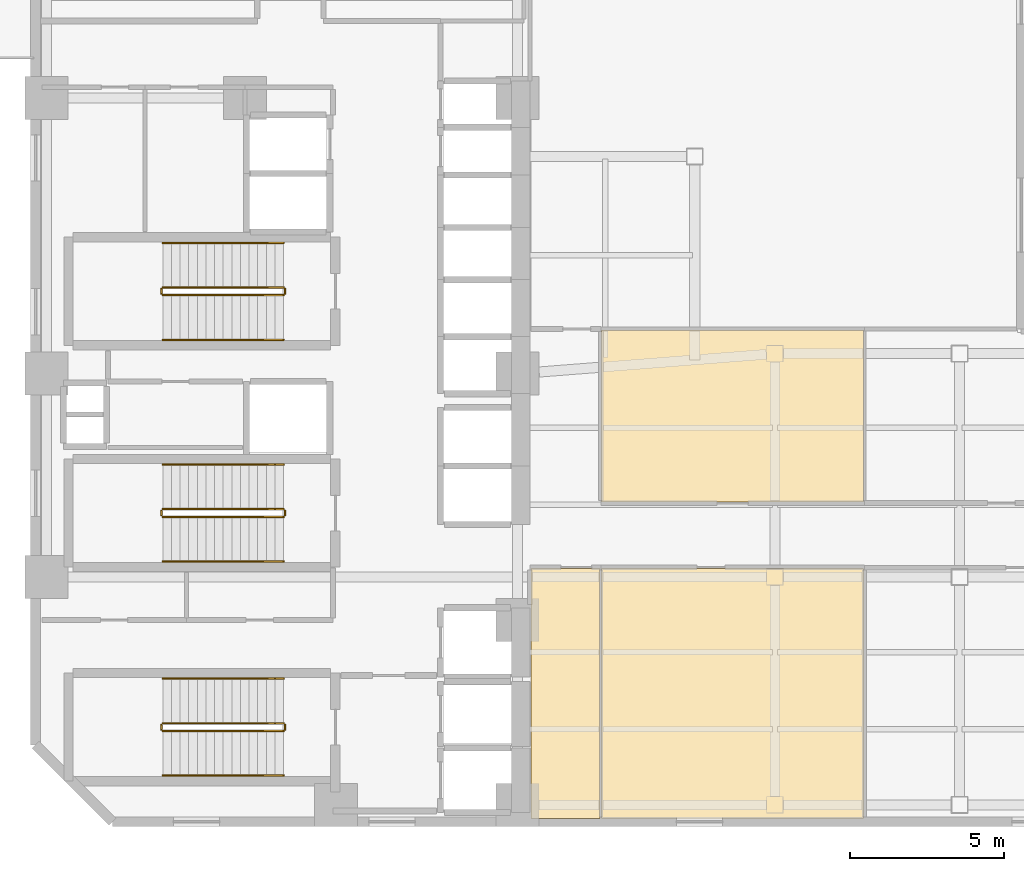
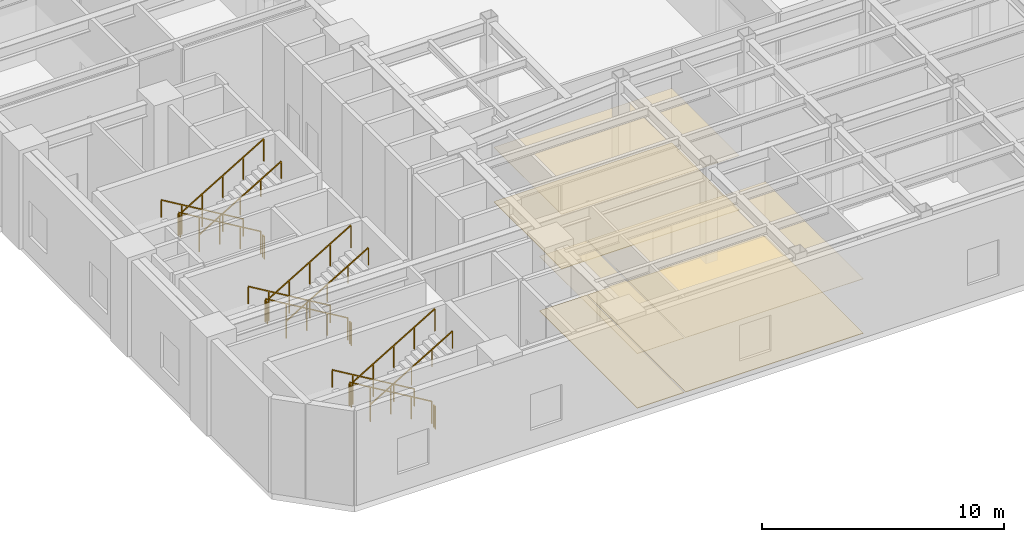
# One storey, part 8 of 10: 18 railings, 6 coverings.
"""IFC4 building model written with IfcOpenShell, lengths in metres."""

from ifc_helpers import new_model, si_unit, direction, frame, origin, origin_2d, place, context, subcontext, project, spatial, polyline, rectangle, outline, extrude, material, layer, layer_set, type_object, element, save


model = new_model("IFC4")

# Units and contexts
model_context = context("Model", 3, precision=1e-05, world=origin(), true_north=direction((0.0, 1.0)))
body_context = subcontext(model_context, "Body", "Model", "MODEL_VIEW")
ifc_project = project(units=[si_unit("LENGTHUNIT", "METRE"), si_unit("AREAUNIT", "SQUARE_METRE"), si_unit("VOLUMEUNIT", "CUBIC_METRE"), si_unit("PLANEANGLEUNIT", "RADIAN"), si_unit("MASSUNIT", "GRAM", prefix="KILO")], contexts=[model_context])

# Site, building, storey
site_placement = place(None, origin())
site = spatial("IfcSite", under=ifc_project, at=site_placement, CompositionType="ELEMENT")
building_placement = place(site_placement, origin())
building = spatial("IfcBuilding", under=site, at=building_placement, Name="Mawjaban Terraces University", CompositionType="ELEMENT")
storey_placement = place(building_placement, frame((0.0, 0.0, 26.0)))
storey = spatial("IfcBuildingStorey", under=building, at=storey_placement, Name="L05", CompositionType="ELEMENT", Elevation=26.0)

# Coverings
ifc_material_1 = material(Name="Acoustic mineral fibre ceiling tile", Category="masonry")
ifc_layer_1 = layer(ifc_material_1, 0.02001953125)
ifc_layer_set_1 = layer_set([ifc_layer_1], Name="Acoustic mineral fibre ceiling tile")
covering_type_1 = type_object("IfcCoveringType", Name="AcousticMineralCeiling_20", PredefinedType="CEILING", material=ifc_layer_set_1)
covering_1_placement = place(storey_placement, frame((0.0, 0.0, 2.75)))
element("IfcCovering", 1, at=covering_1_placement, inside=storey, type_object=covering_type_1, Name="L05 Classroom 1 Acoustic Ceiling", PredefinedType="CEILING", context=body_context, shape_type="SweptSolid", body=[
    extrude(outline(polyline([(38.080078125, 0.114990234375), (40.320068359375, 0.114990234375), (40.320068359375, 8.219970703125), (38.080078125, 8.219970703125), (38.080078125, 0.114990234375)])), origin(), (0.0, 0.0, 1.0), 0.02001953125),
])
covering_2_placement = place(storey_placement, frame((0.0, 0.0, 2.75)))
element("IfcCovering", 2, at=covering_2_placement, inside=storey, type_object=covering_type_1, Name="L05 Seminar Room 2 Acoustic Ceiling", PredefinedType="CEILING", context=body_context, shape_type="SweptSolid", body=[
    extrude(outline(polyline([(40.3798828125, 0.114990234375), (48.8759765625, 0.114990234375), (48.8759765625, 8.219970703125), (40.3798828125, 8.219970703125), (40.3798828125, 0.114990234375)])), origin(), (0.0, 0.0, 1.0), 0.02001953125),
])
covering_3_placement = place(storey_placement, frame((0.0, 0.0, 2.75)))
element("IfcCovering", 3, at=covering_3_placement, inside=storey, type_object=covering_type_1, Name="L05 Classroom 3 Acoustic Ceiling", PredefinedType="CEILING", context=body_context, shape_type="SweptSolid", body=[
    extrude(outline(polyline([(48.8759765625, 10.3798828125), (48.8759765625, 15.969970703125), (40.3798828125, 15.969970703125), (40.3798828125, 10.3798828125), (48.8759765625, 10.3798828125)])), origin(), (0.0, 0.0, 1.0), 0.02001953125),
])

# Railings
ifc_material_2 = material(Name="Brushed stainless steel 316", Category="steel")
railing_type_1 = type_object("IfcRailingType", Name="StairWallHandrail_900", PredefinedType="HANDRAIL", material=ifc_material_2)
railing_1_placement = place(storey_placement, frame((30.050048828125, 4.64990234375, 0.166748046875)))
element("IfcRailing", 4, at=railing_1_placement, inside=storey, type_object=railing_type_1, Name="L05 ST-1 stair handrail 1", PredefinedType="HANDRAIL", context=body_context, shape_type="SweptSolid", body=[
    extrude(rectangle(XDim=0.048095703125, YDim=0.048095703125, at=origin_2d()), frame((0.0, 0.0, 0.8759765625), z_axis=(-0.859310244771, 0.0, 0.511454693235), x_axis=(0.0, -1.0, 0.0)), (0.0, 0.0, 1.0), 4.56201171875),
    extrude(rectangle(XDim=0.0419921875, YDim=0.0419921875, at=origin_2d()), origin(), (0.0, 0.0, 1.0), 0.851806640625),
    extrude(rectangle(XDim=0.0419921875, YDim=0.0419921875, at=origin_2d()), frame((-0.97998046875, 0.0, 0.583251953125)), (0.0, 0.0, 1.0), 0.851806640625),
    extrude(rectangle(XDim=0.0419921875, YDim=0.0419921875, at=origin_2d()), frame((-1.9599609375, 0.0, 1.16650390625)), (0.0, 0.0, 1.0), 0.851806640625),
    extrude(rectangle(XDim=0.0419921875, YDim=0.0419921875, at=origin_2d()), frame((-2.940185546875, 0.0, 1.75)), (0.0, 0.0, 1.0), 0.851806640625),
    extrude(rectangle(XDim=0.0419921875, YDim=0.0419921875, at=origin_2d()), frame((-3.920166015625, 0.0, 2.333251953125)), (0.0, 0.0, 1.0), 0.851806640625),
])
railing_2_placement = place(storey_placement, frame((26.1298828125, 1.5, 2.666748046875)))
element("IfcRailing", 5, at=railing_2_placement, inside=storey, type_object=railing_type_1, Name="L05 ST-1 stair handrail 2", PredefinedType="HANDRAIL", context=body_context, shape_type="SweptSolid", body=[
    extrude(rectangle(XDim=0.048095703125, YDim=0.048095703125, at=origin_2d()), frame((0.0, 0.0, 0.8759765625), z_axis=(0.859310244771, 0.0, 0.511454693235), x_axis=(0.0, 1.0, 0.0)), (0.0, 0.0, 1.0), 4.56201171875),
    extrude(rectangle(XDim=0.0419921875, YDim=0.0419921875, at=origin_2d()), origin(), (0.0, 0.0, 1.0), 0.851806640625),
    extrude(rectangle(XDim=0.0419921875, YDim=0.0419921875, at=origin_2d()), frame((0.97998046875, 0.0, 0.583251953125)), (0.0, 0.0, 1.0), 0.851806640625),
    extrude(rectangle(XDim=0.0419921875, YDim=0.0419921875, at=origin_2d()), frame((1.9599609375, 0.0, 1.16650390625)), (0.0, 0.0, 1.0), 0.851806640625),
    extrude(rectangle(XDim=0.0419921875, YDim=0.0419921875, at=origin_2d()), frame((2.940185546875, 0.0, 1.75)), (0.0, 0.0, 1.0), 0.851806640625),
    extrude(rectangle(XDim=0.0419921875, YDim=0.0419921875, at=origin_2d()), frame((3.920166015625, 0.0, 2.333251953125)), (0.0, 0.0, 1.0), 0.851806640625),
])
railing_3_placement = place(storey_placement, frame((30.050048828125, 18.800048828125, 0.166748046875)))
element("IfcRailing", 6, at=railing_3_placement, inside=storey, type_object=railing_type_1, Name="L05 ST-2 stair handrail 1", PredefinedType="HANDRAIL", context=body_context, shape_type="SweptSolid", body=[
    extrude(rectangle(XDim=0.048095703125, YDim=0.048095703125, at=origin_2d()), frame((0.0, 0.0, 0.8759765625), z_axis=(-0.859310244771, 0.0, 0.511454693235), x_axis=(0.0, -1.0, 0.0)), (0.0, 0.0, 1.0), 4.56201171875),
    extrude(rectangle(XDim=0.0419921875, YDim=0.0419921875, at=origin_2d()), origin(), (0.0, 0.0, 1.0), 0.851806640625),
    extrude(rectangle(XDim=0.0419921875, YDim=0.0419921875, at=origin_2d()), frame((-0.97998046875, 0.0, 0.583251953125)), (0.0, 0.0, 1.0), 0.851806640625),
    extrude(rectangle(XDim=0.0419921875, YDim=0.0419921875, at=origin_2d()), frame((-1.9599609375, 0.0, 1.16650390625)), (0.0, 0.0, 1.0), 0.851806640625),
    extrude(rectangle(XDim=0.0419921875, YDim=0.0419921875, at=origin_2d()), frame((-2.940185546875, 0.0, 1.75)), (0.0, 0.0, 1.0), 0.851806640625),
    extrude(rectangle(XDim=0.0419921875, YDim=0.0419921875, at=origin_2d()), frame((-3.920166015625, 0.0, 2.333251953125)), (0.0, 0.0, 1.0), 0.851806640625),
])
railing_4_placement = place(storey_placement, frame((26.1298828125, 15.64990234375, 2.666748046875)))
element("IfcRailing", 7, at=railing_4_placement, inside=storey, type_object=railing_type_1, Name="L05 ST-2 stair handrail 2", PredefinedType="HANDRAIL", context=body_context, shape_type="SweptSolid", body=[
    extrude(rectangle(XDim=0.048095703125, YDim=0.048095703125, at=origin_2d()), frame((0.0, 0.0, 0.8759765625), z_axis=(0.859310244771, 0.0, 0.511454693235), x_axis=(0.0, 1.0, 0.0)), (0.0, 0.0, 1.0), 4.56201171875),
    extrude(rectangle(XDim=0.0419921875, YDim=0.0419921875, at=origin_2d()), origin(), (0.0, 0.0, 1.0), 0.851806640625),
    extrude(rectangle(XDim=0.0419921875, YDim=0.0419921875, at=origin_2d()), frame((0.97998046875, 0.0, 0.583251953125)), (0.0, 0.0, 1.0), 0.851806640625),
    extrude(rectangle(XDim=0.0419921875, YDim=0.0419921875, at=origin_2d()), frame((1.9599609375, 0.0, 1.16650390625)), (0.0, 0.0, 1.0), 0.851806640625),
    extrude(rectangle(XDim=0.0419921875, YDim=0.0419921875, at=origin_2d()), frame((2.940185546875, 0.0, 1.75)), (0.0, 0.0, 1.0), 0.851806640625),
    extrude(rectangle(XDim=0.0419921875, YDim=0.0419921875, at=origin_2d()), frame((3.920166015625, 0.0, 2.333251953125)), (0.0, 0.0, 1.0), 0.851806640625),
])
railing_5_placement = place(storey_placement, frame((30.050048828125, 11.60009765625, 0.166748046875)))
element("IfcRailing", 8, at=railing_5_placement, inside=storey, type_object=railing_type_1, Name="L05 ST-3 stair handrail 1", PredefinedType="HANDRAIL", context=body_context, shape_type="SweptSolid", body=[
    extrude(rectangle(XDim=0.048095703125, YDim=0.048095703125, at=origin_2d()), frame((0.0, 0.0, 0.8759765625), z_axis=(-0.859310244771, 0.0, 0.511454693235), x_axis=(0.0, -1.0, 0.0)), (0.0, 0.0, 1.0), 4.56201171875),
    extrude(rectangle(XDim=0.0419921875, YDim=0.0419921875, at=origin_2d()), origin(), (0.0, 0.0, 1.0), 0.851806640625),
    extrude(rectangle(XDim=0.0419921875, YDim=0.0419921875, at=origin_2d()), frame((-0.97998046875, 0.0, 0.583251953125)), (0.0, 0.0, 1.0), 0.851806640625),
    extrude(rectangle(XDim=0.0419921875, YDim=0.0419921875, at=origin_2d()), frame((-1.9599609375, 0.0, 1.16650390625)), (0.0, 0.0, 1.0), 0.851806640625),
    extrude(rectangle(XDim=0.0419921875, YDim=0.0419921875, at=origin_2d()), frame((-2.940185546875, 0.0, 1.75)), (0.0, 0.0, 1.0), 0.851806640625),
    extrude(rectangle(XDim=0.0419921875, YDim=0.0419921875, at=origin_2d()), frame((-3.920166015625, 0.0, 2.333251953125)), (0.0, 0.0, 1.0), 0.851806640625),
])
railing_6_placement = place(storey_placement, frame((26.1298828125, 8.449951171875, 2.666748046875)))
element("IfcRailing", 9, at=railing_6_placement, inside=storey, type_object=railing_type_1, Name="L05 ST-3 stair handrail 2", PredefinedType="HANDRAIL", context=body_context, shape_type="SweptSolid", body=[
    extrude(rectangle(XDim=0.048095703125, YDim=0.048095703125, at=origin_2d()), frame((0.0, 0.0, 0.8759765625), z_axis=(0.859310244771, 0.0, 0.511454693235), x_axis=(0.0, 1.0, 0.0)), (0.0, 0.0, 1.0), 4.56201171875),
    extrude(rectangle(XDim=0.0419921875, YDim=0.0419921875, at=origin_2d()), origin(), (0.0, 0.0, 1.0), 0.851806640625),
    extrude(rectangle(XDim=0.0419921875, YDim=0.0419921875, at=origin_2d()), frame((0.97998046875, 0.0, 0.583251953125)), (0.0, 0.0, 1.0), 0.851806640625),
    extrude(rectangle(XDim=0.0419921875, YDim=0.0419921875, at=origin_2d()), frame((1.9599609375, 0.0, 1.16650390625)), (0.0, 0.0, 1.0), 0.851806640625),
    extrude(rectangle(XDim=0.0419921875, YDim=0.0419921875, at=origin_2d()), frame((2.940185546875, 0.0, 1.75)), (0.0, 0.0, 1.0), 0.851806640625),
    extrude(rectangle(XDim=0.0419921875, YDim=0.0419921875, at=origin_2d()), frame((3.920166015625, 0.0, 2.333251953125)), (0.0, 0.0, 1.0), 0.851806640625),
])
ifc_material_3 = material(Name="Galvanised painted steel S355", Category="steel")
railing_type_2 = type_object("IfcRailingType", Name="StairWellGuard_1150", PredefinedType="BALUSTRADE", material=ifc_material_3)
railing_7_placement = place(storey_placement, frame((30.050048828125, 3.199951171875, 0.166748046875)))
element("IfcRailing", 10, at=railing_7_placement, inside=storey, type_object=railing_type_2, Name="L05 ST-1 stair guard 1", PredefinedType="BALUSTRADE", context=body_context, shape_type="SweptSolid", body=[
    extrude(rectangle(XDim=0.048095703125, YDim=0.048095703125, at=origin_2d()), frame((0.0, 0.0, 1.1259765625), z_axis=(-0.859310244771, 0.0, 0.511454693235), x_axis=(0.0, -1.0, 0.0)), (0.0, 0.0, 1.0), 4.56201171875),
    extrude(rectangle(XDim=0.0419921875, YDim=0.0419921875, at=origin_2d()), origin(), (0.0, 0.0, 1.0), 1.101806640625),
    extrude(rectangle(XDim=0.0419921875, YDim=0.0419921875, at=origin_2d()), frame((-0.97998046875, 0.0, 0.583251953125)), (0.0, 0.0, 1.0), 1.101806640625),
    extrude(rectangle(XDim=0.0419921875, YDim=0.0419921875, at=origin_2d()), frame((-1.9599609375, 0.0, 1.16650390625)), (0.0, 0.0, 1.0), 1.101806640625),
    extrude(rectangle(XDim=0.0419921875, YDim=0.0419921875, at=origin_2d()), frame((-2.940185546875, 0.0, 1.75)), (0.0, 0.0, 1.0), 1.101806640625),
    extrude(rectangle(XDim=0.0419921875, YDim=0.0419921875, at=origin_2d()), frame((-3.920166015625, 0.0, 2.333251953125)), (0.0, 0.0, 1.0), 1.101806640625),
])
railing_8_placement = place(storey_placement, frame((26.080078125, 3.14990234375, 2.5)))
element("IfcRailing", 11, at=railing_8_placement, inside=storey, type_object=railing_type_2, Name="L05 ST-1 stair guard 2", PredefinedType="BALUSTRADE", context=body_context, shape_type="SweptSolid", body=[
    extrude(rectangle(XDim=0.048095703125, YDim=0.048095703125, at=origin_2d()), frame((0.0, 0.0, 1.1259765625), z_axis=(0.0, -1.0, 0.0), x_axis=(1.0, 0.0, 0.0)), (0.0, 0.0, 1.0), 0.14990234375),
    extrude(rectangle(XDim=0.0419921875, YDim=0.0419921875, at=origin_2d()), origin(), (0.0, 0.0, 1.0), 1.101806640625),
    extrude(rectangle(XDim=0.0419921875, YDim=0.0419921875, at=origin_2d()), frame((0.0, -0.14990234375, 0.0)), (0.0, 0.0, 1.0), 1.101806640625),
])
railing_9_placement = place(storey_placement, frame((26.1298828125, 2.949951171875, 2.666748046875)))
element("IfcRailing", 12, at=railing_9_placement, inside=storey, type_object=railing_type_2, Name="L05 ST-1 stair guard 3", PredefinedType="BALUSTRADE", context=body_context, shape_type="SweptSolid", body=[
    extrude(rectangle(XDim=0.048095703125, YDim=0.048095703125, at=origin_2d()), frame((0.0, 0.0, 1.1259765625), z_axis=(0.859310244771, 0.0, 0.511454693235), x_axis=(0.0, 1.0, 0.0)), (0.0, 0.0, 1.0), 4.56201171875),
    extrude(rectangle(XDim=0.0419921875, YDim=0.0419921875, at=origin_2d()), origin(), (0.0, 0.0, 1.0), 1.101806640625),
    extrude(rectangle(XDim=0.0419921875, YDim=0.0419921875, at=origin_2d()), frame((0.97998046875, 0.0, 0.583251953125)), (0.0, 0.0, 1.0), 1.101806640625),
    extrude(rectangle(XDim=0.0419921875, YDim=0.0419921875, at=origin_2d()), frame((1.9599609375, 0.0, 1.16650390625)), (0.0, 0.0, 1.0), 1.101806640625),
    extrude(rectangle(XDim=0.0419921875, YDim=0.0419921875, at=origin_2d()), frame((2.940185546875, 0.0, 1.75)), (0.0, 0.0, 1.0), 1.101806640625),
    extrude(rectangle(XDim=0.0419921875, YDim=0.0419921875, at=origin_2d()), frame((3.920166015625, 0.0, 2.333251953125)), (0.0, 0.0, 1.0), 1.101806640625),
])
railing_10_placement = place(storey_placement, frame((30.10009765625, 3.14990234375, 0.0)))
element("IfcRailing", 13, at=railing_10_placement, inside=storey, type_object=railing_type_2, Name="L05 ST-1 stair guard 4", PredefinedType="BALUSTRADE", context=body_context, shape_type="SweptSolid", body=[
    extrude(rectangle(XDim=0.048095703125, YDim=0.048095703125, at=origin_2d()), frame((0.0, 0.0, 1.1259765625), z_axis=(0.0, -1.0, 0.0), x_axis=(1.0, 0.0, 0.0)), (0.0, 0.0, 1.0), 0.14990234375),
    extrude(rectangle(XDim=0.0419921875, YDim=0.0419921875, at=origin_2d()), origin(), (0.0, 0.0, 1.0), 1.101806640625),
    extrude(rectangle(XDim=0.0419921875, YDim=0.0419921875, at=origin_2d()), frame((0.0, -0.14990234375, 0.0)), (0.0, 0.0, 1.0), 1.101806640625),
])
railing_11_placement = place(storey_placement, frame((30.050048828125, 17.35009765625, 0.166748046875)))
element("IfcRailing", 14, at=railing_11_placement, inside=storey, type_object=railing_type_2, Name="L05 ST-2 stair guard 1", PredefinedType="BALUSTRADE", context=body_context, shape_type="SweptSolid", body=[
    extrude(rectangle(XDim=0.048095703125, YDim=0.048095703125, at=origin_2d()), frame((0.0, 0.0, 1.1259765625), z_axis=(-0.859310244771, 0.0, 0.511454693235), x_axis=(0.0, -1.0, 0.0)), (0.0, 0.0, 1.0), 4.56201171875),
    extrude(rectangle(XDim=0.0419921875, YDim=0.0419921875, at=origin_2d()), origin(), (0.0, 0.0, 1.0), 1.101806640625),
    extrude(rectangle(XDim=0.0419921875, YDim=0.0419921875, at=origin_2d()), frame((-0.97998046875, 0.0, 0.583251953125)), (0.0, 0.0, 1.0), 1.101806640625),
    extrude(rectangle(XDim=0.0419921875, YDim=0.0419921875, at=origin_2d()), frame((-1.9599609375, 0.0, 1.16650390625)), (0.0, 0.0, 1.0), 1.101806640625),
    extrude(rectangle(XDim=0.0419921875, YDim=0.0419921875, at=origin_2d()), frame((-2.940185546875, 0.0, 1.75)), (0.0, 0.0, 1.0), 1.101806640625),
    extrude(rectangle(XDim=0.0419921875, YDim=0.0419921875, at=origin_2d()), frame((-3.920166015625, 0.0, 2.333251953125)), (0.0, 0.0, 1.0), 1.101806640625),
])
railing_12_placement = place(storey_placement, frame((26.080078125, 17.300048828125, 2.5)))
element("IfcRailing", 15, at=railing_12_placement, inside=storey, type_object=railing_type_2, Name="L05 ST-2 stair guard 2", PredefinedType="BALUSTRADE", context=body_context, shape_type="SweptSolid", body=[
    extrude(rectangle(XDim=0.048095703125, YDim=0.048095703125, at=origin_2d()), frame((0.0, 0.0, 1.1259765625), z_axis=(0.0, -1.0, 0.0), x_axis=(1.0, 0.0, 0.0)), (0.0, 0.0, 1.0), 0.150146484375),
    extrude(rectangle(XDim=0.0419921875, YDim=0.0419921875, at=origin_2d()), origin(), (0.0, 0.0, 1.0), 1.101806640625),
    extrude(rectangle(XDim=0.0419921875, YDim=0.0419921875, at=origin_2d()), frame((0.0, -0.150146484375, 0.0)), (0.0, 0.0, 1.0), 1.101806640625),
])
railing_13_placement = place(storey_placement, frame((26.1298828125, 17.10009765625, 2.666748046875)))
element("IfcRailing", 16, at=railing_13_placement, inside=storey, type_object=railing_type_2, Name="L05 ST-2 stair guard 3", PredefinedType="BALUSTRADE", context=body_context, shape_type="SweptSolid", body=[
    extrude(rectangle(XDim=0.048095703125, YDim=0.048095703125, at=origin_2d()), frame((0.0, 0.0, 1.1259765625), z_axis=(0.859310244771, 0.0, 0.511454693235), x_axis=(0.0, 1.0, 0.0)), (0.0, 0.0, 1.0), 4.56201171875),
    extrude(rectangle(XDim=0.0419921875, YDim=0.0419921875, at=origin_2d()), origin(), (0.0, 0.0, 1.0), 1.101806640625),
    extrude(rectangle(XDim=0.0419921875, YDim=0.0419921875, at=origin_2d()), frame((0.97998046875, 0.0, 0.583251953125)), (0.0, 0.0, 1.0), 1.101806640625),
    extrude(rectangle(XDim=0.0419921875, YDim=0.0419921875, at=origin_2d()), frame((1.9599609375, 0.0, 1.16650390625)), (0.0, 0.0, 1.0), 1.101806640625),
    extrude(rectangle(XDim=0.0419921875, YDim=0.0419921875, at=origin_2d()), frame((2.940185546875, 0.0, 1.75)), (0.0, 0.0, 1.0), 1.101806640625),
    extrude(rectangle(XDim=0.0419921875, YDim=0.0419921875, at=origin_2d()), frame((3.920166015625, 0.0, 2.333251953125)), (0.0, 0.0, 1.0), 1.101806640625),
])
railing_14_placement = place(storey_placement, frame((30.10009765625, 17.300048828125, 0.0)))
element("IfcRailing", 17, at=railing_14_placement, inside=storey, type_object=railing_type_2, Name="L05 ST-2 stair guard 4", PredefinedType="BALUSTRADE", context=body_context, shape_type="SweptSolid", body=[
    extrude(rectangle(XDim=0.048095703125, YDim=0.048095703125, at=origin_2d()), frame((0.0, 0.0, 1.1259765625), z_axis=(0.0, -1.0, 0.0), x_axis=(1.0, 0.0, 0.0)), (0.0, 0.0, 1.0), 0.150146484375),
    extrude(rectangle(XDim=0.0419921875, YDim=0.0419921875, at=origin_2d()), origin(), (0.0, 0.0, 1.0), 1.101806640625),
    extrude(rectangle(XDim=0.0419921875, YDim=0.0419921875, at=origin_2d()), frame((0.0, -0.150146484375, 0.0)), (0.0, 0.0, 1.0), 1.101806640625),
])
railing_15_placement = place(storey_placement, frame((30.050048828125, 10.14990234375, 0.166748046875)))
element("IfcRailing", 18, at=railing_15_placement, inside=storey, type_object=railing_type_2, Name="L05 ST-3 stair guard 1", PredefinedType="BALUSTRADE", context=body_context, shape_type="SweptSolid", body=[
    extrude(rectangle(XDim=0.048095703125, YDim=0.048095703125, at=origin_2d()), frame((0.0, 0.0, 1.1259765625), z_axis=(-0.859310244771, 0.0, 0.511454693235), x_axis=(0.0, -1.0, 0.0)), (0.0, 0.0, 1.0), 4.56201171875),
    extrude(rectangle(XDim=0.0419921875, YDim=0.0419921875, at=origin_2d()), origin(), (0.0, 0.0, 1.0), 1.101806640625),
    extrude(rectangle(XDim=0.0419921875, YDim=0.0419921875, at=origin_2d()), frame((-0.97998046875, 0.0, 0.583251953125)), (0.0, 0.0, 1.0), 1.101806640625),
    extrude(rectangle(XDim=0.0419921875, YDim=0.0419921875, at=origin_2d()), frame((-1.9599609375, 0.0, 1.16650390625)), (0.0, 0.0, 1.0), 1.101806640625),
    extrude(rectangle(XDim=0.0419921875, YDim=0.0419921875, at=origin_2d()), frame((-2.940185546875, 0.0, 1.75)), (0.0, 0.0, 1.0), 1.101806640625),
    extrude(rectangle(XDim=0.0419921875, YDim=0.0419921875, at=origin_2d()), frame((-3.920166015625, 0.0, 2.333251953125)), (0.0, 0.0, 1.0), 1.101806640625),
])
railing_16_placement = place(storey_placement, frame((26.080078125, 10.10009765625, 2.5)))
element("IfcRailing", 19, at=railing_16_placement, inside=storey, type_object=railing_type_2, Name="L05 ST-3 stair guard 2", PredefinedType="BALUSTRADE", context=body_context, shape_type="SweptSolid", body=[
    extrude(rectangle(XDim=0.048095703125, YDim=0.048095703125, at=origin_2d()), frame((0.0, 0.0, 1.1259765625), z_axis=(0.0, -1.0, 0.0), x_axis=(1.0, 0.0, 0.0)), (0.0, 0.0, 1.0), 0.150146484375),
    extrude(rectangle(XDim=0.0419921875, YDim=0.0419921875, at=origin_2d()), origin(), (0.0, 0.0, 1.0), 1.101806640625),
    extrude(rectangle(XDim=0.0419921875, YDim=0.0419921875, at=origin_2d()), frame((0.0, -0.150146484375, 0.0)), (0.0, 0.0, 1.0), 1.101806640625),
])
railing_17_placement = place(storey_placement, frame((26.1298828125, 9.89990234375, 2.666748046875)))
element("IfcRailing", 20, at=railing_17_placement, inside=storey, type_object=railing_type_2, Name="L05 ST-3 stair guard 3", PredefinedType="BALUSTRADE", context=body_context, shape_type="SweptSolid", body=[
    extrude(rectangle(XDim=0.048095703125, YDim=0.048095703125, at=origin_2d()), frame((0.0, 0.0, 1.1259765625), z_axis=(0.859310244771, 0.0, 0.511454693235), x_axis=(0.0, 1.0, 0.0)), (0.0, 0.0, 1.0), 4.56201171875),
    extrude(rectangle(XDim=0.0419921875, YDim=0.0419921875, at=origin_2d()), origin(), (0.0, 0.0, 1.0), 1.101806640625),
    extrude(rectangle(XDim=0.0419921875, YDim=0.0419921875, at=origin_2d()), frame((0.97998046875, 0.0, 0.583251953125)), (0.0, 0.0, 1.0), 1.101806640625),
    extrude(rectangle(XDim=0.0419921875, YDim=0.0419921875, at=origin_2d()), frame((1.9599609375, 0.0, 1.16650390625)), (0.0, 0.0, 1.0), 1.101806640625),
    extrude(rectangle(XDim=0.0419921875, YDim=0.0419921875, at=origin_2d()), frame((2.940185546875, 0.0, 1.75)), (0.0, 0.0, 1.0), 1.101806640625),
    extrude(rectangle(XDim=0.0419921875, YDim=0.0419921875, at=origin_2d()), frame((3.920166015625, 0.0, 2.333251953125)), (0.0, 0.0, 1.0), 1.101806640625),
])
railing_18_placement = place(storey_placement, frame((30.10009765625, 10.10009765625, 0.0)))
element("IfcRailing", 21, at=railing_18_placement, inside=storey, type_object=railing_type_2, Name="L05 ST-3 stair guard 4", PredefinedType="BALUSTRADE", context=body_context, shape_type="SweptSolid", body=[
    extrude(rectangle(XDim=0.048095703125, YDim=0.048095703125, at=origin_2d()), frame((0.0, 0.0, 1.1259765625), z_axis=(0.0, -1.0, 0.0), x_axis=(1.0, 0.0, 0.0)), (0.0, 0.0, 1.0), 0.150146484375),
    extrude(rectangle(XDim=0.0419921875, YDim=0.0419921875, at=origin_2d()), origin(), (0.0, 0.0, 1.0), 1.101806640625),
    extrude(rectangle(XDim=0.0419921875, YDim=0.0419921875, at=origin_2d()), frame((0.0, -0.150146484375, 0.0)), (0.0, 0.0, 1.0), 1.101806640625),
])

# Coverings
ifc_material_4 = material(Name="Polished Hijazi granite terrazzo flooring", Category="masonry")
ifc_layer_2 = layer(ifc_material_4, 0.02490234375)
ifc_layer_set_2 = layer_set([ifc_layer_2], Name="Polished Hijazi granite terrazzo flooring")
covering_type_2 = type_object("IfcCoveringType", Name="TerrazzoConcourseFlooring_25", PredefinedType="FLOORING", material=ifc_layer_set_2)
covering_4_placement = place(storey_placement, origin())
element("IfcCovering", 22, at=covering_4_placement, inside=storey, type_object=covering_type_2, Name="L05 Classroom 1 Terrazzo Flooring", PredefinedType="FLOORING", context=body_context, shape_type="SweptSolid", body=[
    extrude(outline(polyline([(38.080078125, 0.114990234375), (40.320068359375, 0.114990234375), (40.320068359375, 8.219970703125), (38.080078125, 8.219970703125), (38.080078125, 0.114990234375)])), origin(), (0.0, 0.0, 1.0), 0.02490234375),
])
covering_5_placement = place(storey_placement, origin())
element("IfcCovering", 23, at=covering_5_placement, inside=storey, type_object=covering_type_2, Name="L05 Seminar Room 2 Terrazzo Flooring", PredefinedType="FLOORING", context=body_context, shape_type="SweptSolid", body=[
    extrude(outline(polyline([(40.3798828125, 0.114990234375), (48.8759765625, 0.114990234375), (48.8759765625, 8.219970703125), (40.3798828125, 8.219970703125), (40.3798828125, 0.114990234375)])), origin(), (0.0, 0.0, 1.0), 0.02490234375),
])
covering_6_placement = place(storey_placement, origin())
element("IfcCovering", 24, at=covering_6_placement, inside=storey, type_object=covering_type_2, Name="L05 Classroom 3 Terrazzo Flooring", PredefinedType="FLOORING", context=body_context, shape_type="SweptSolid", body=[
    extrude(outline(polyline([(48.8759765625, 10.3798828125), (48.8759765625, 15.969970703125), (40.3798828125, 15.969970703125), (40.3798828125, 10.3798828125), (48.8759765625, 10.3798828125)])), origin(), (0.0, 0.0, 1.0), 0.02490234375),
])

save(model, "model.ifc")
